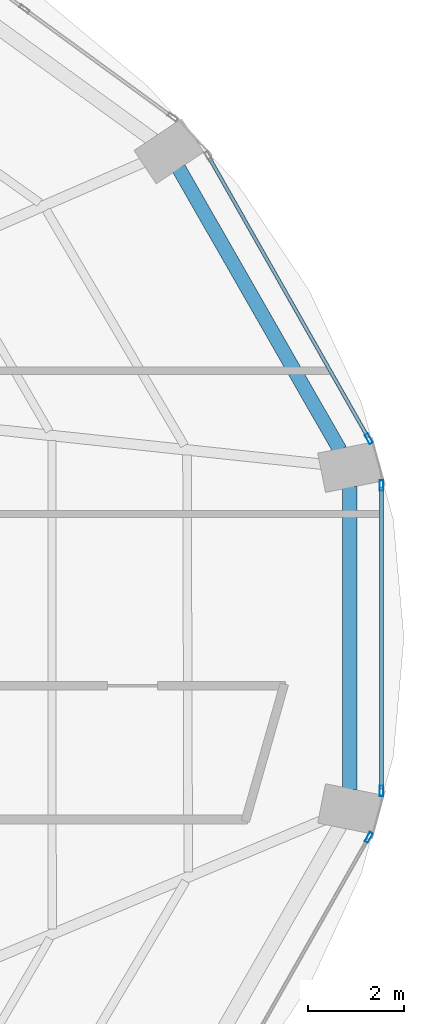
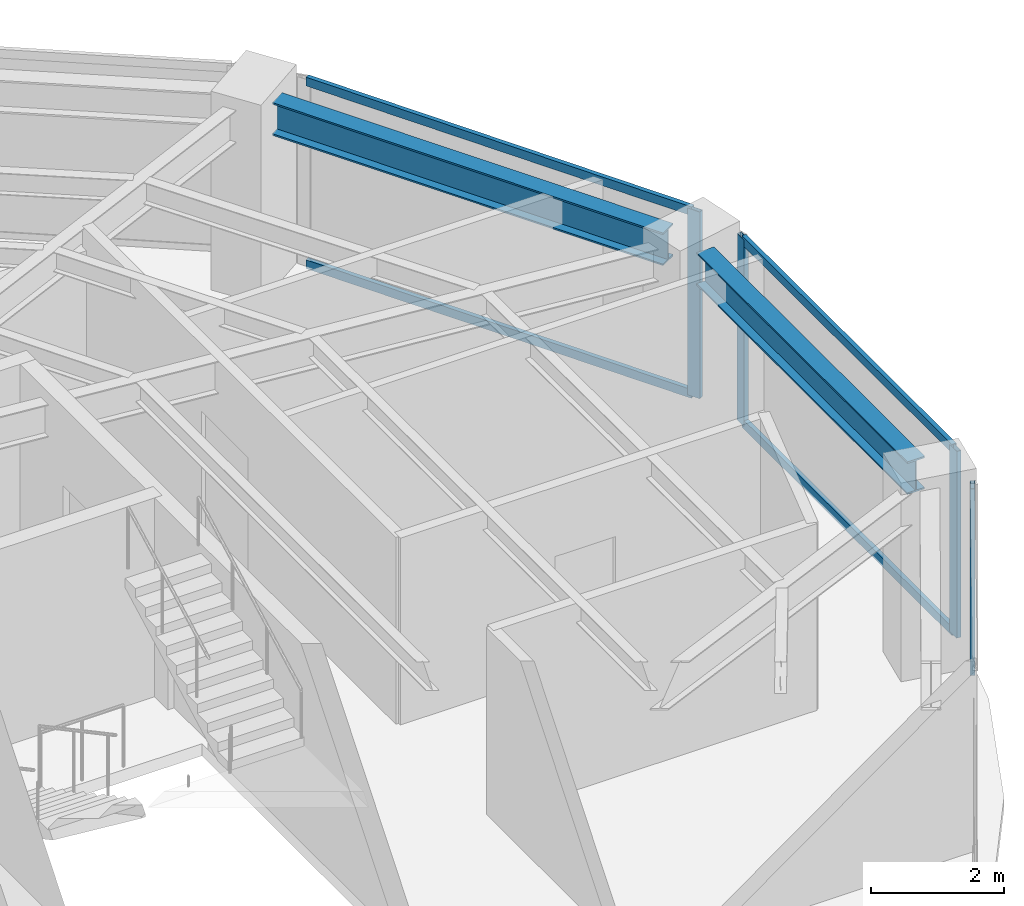
# One storey, part 13 of 23: 8 members, 2 beams, 3 elements without a shape of their own.
"""IFC4 building model written with IfcOpenShell, lengths in metres."""

from ifc_helpers import new_model, si_unit, direction, frame, origin, origin_2d, place, context, subcontext, project, spatial, hollow_rectangle, i_section, extrude, material, layer, layer_set, material_profile, profile_set, type_object, element, aggregate, save


model = new_model("IFC4")

# Units and contexts
model_context = context("Model", 3, precision=1e-05, world=origin(), true_north=direction((0.0, 1.0)))
body_context = subcontext(model_context, "Body", "Model", "MODEL_VIEW")
ifc_project = project(units=[si_unit("LENGTHUNIT", "METRE"), si_unit("AREAUNIT", "SQUARE_METRE"), si_unit("VOLUMEUNIT", "CUBIC_METRE"), si_unit("PLANEANGLEUNIT", "RADIAN"), si_unit("MASSUNIT", "GRAM", prefix="KILO")], contexts=[model_context])

# Site, building, storey
site_placement = place(None, origin())
site = spatial("IfcSite", under=ifc_project, at=site_placement, CompositionType="ELEMENT")
building_placement = place(site_placement, origin())
building = spatial("IfcBuilding", under=site, at=building_placement, Name="Lazwardi Medical Tower", CompositionType="ELEMENT")
storey_placement = place(building_placement, frame((0.0, 0.0, 107.280029296875)))
storey = spatial("IfcBuildingStorey", under=building, at=storey_placement, Name="L27", CompositionType="ELEMENT", Elevation=107.280029296875)

# Beams
ifc_material_1 = material(Name="Steel S355", Category="steel")
ifc_material_profile_1 = material_profile(ifc_material_1, i_section(OverallWidth=0.300048828125, OverallDepth=0.60009765625, WebThickness=0.015380859375, FlangeThickness=0.030029296875, at=origin_2d()), Name="HEB 600")
ifc_profile_set_1 = profile_set([ifc_material_profile_1], Name="Steel S355")
beam_type = type_object("IfcBeamType", Name="BM-RB-Z2", PredefinedType="BEAM", material=ifc_profile_set_1)
beam_1_placement = place(storey_placement, frame((60.86279296875, 27.22998046875, 3.1279296875), z_axis=(0.0, 1.0, 0.0), x_axis=(-1.0, 0.0, 0.0)))
element("IfcBeam", 1, at=beam_1_placement, inside=storey, type_object=beam_type, Name="Ring beam RB-03 B04 L27", PredefinedType="BEAM", context=body_context, shape_type="SweptSolid", body=[
    extrude(i_section(OverallWidth=0.300048828125, OverallDepth=0.60009765625, WebThickness=0.015380859375, FlangeThickness=0.030029296875, at=origin_2d()), origin(), (0.0, 0.0, 1.0), 6.33984375),
])
beam_2_placement = place(storey_placement, frame((60.6591796875, 34.335693359375, 3.1279296875), z_axis=(-0.496637551254, 0.867958030486, 0.0), x_axis=(-0.867958030486, -0.496637551254, 0.0)))
element("IfcBeam", 2, at=beam_2_placement, inside=storey, type_object=beam_type, Name="Ring beam RB-03 B05 L27", PredefinedType="BEAM", context=body_context, shape_type="SweptSolid", body=[
    extrude(i_section(OverallWidth=0.300048828125, OverallDepth=0.60009765625, WebThickness=0.015380859375, FlangeThickness=0.030029296875, at=origin_2d()), origin(), (0.0, 0.0, 1.0), 6.801025390625),
])

# Curtain wall, member
ifc_material_2 = material(Name="Anodised bronze aluminium and solar control glazing", Category="aluminium")
ifc_layer = layer(ifc_material_2, 0.195068359375)
ifc_layer_set = layer_set([ifc_layer], Name="Anodised bronze aluminium and solar control glazing")
curtain_wall_type = type_object("IfcCurtainWallType", Name="CW-SYS-03", PredefinedType="NOTDEFINED", material=ifc_layer_set)
curtain_wall_1_placement = place(storey_placement, origin())
curtain_wall_1 = element("IfcCurtainWall", 3, at=curtain_wall_1_placement, inside=storey, type_object=curtain_wall_type, Name="L27 Unitised bronze curtain wall CW-03", PredefinedType="NOTDEFINED")
ifc_material_3 = material(Name="Anodised bronze aluminium", Category="aluminium")
ifc_material_profile_2 = material_profile(ifc_material_3, hollow_rectangle(XDim=0.074951171875, YDim=0.219970703125, WallThickness=0.00390625, at=origin_2d()), Name="ALU-MULLION 220x75x4")
ifc_profile_set_2 = profile_set([ifc_material_profile_2], Name="Anodised bronze aluminium")
member_type_1 = type_object("IfcMemberType", Name="CW-MUL-01", PredefinedType="MULLION", material=ifc_profile_set_2)
member_1_placement = place(storey_placement, frame((61.2626953125, 26.22607421875, 0.0), z_axis=(0.0, 0.0, 1.0), x_axis=(-0.869687265712, 0.493603140041, 0.0)))
member_1 = element("IfcMember", 4, at=member_1_placement, type_object=member_type_1, Name="CW-03 mullion 2", PredefinedType="MULLION", context=body_context, shape_type="SweptSolid", body=[
    extrude(hollow_rectangle(XDim=0.074951171875, YDim=0.219970703125, WallThickness=0.00390625, at=origin_2d()), origin(), (0.0, 0.0, 1.0), 3.427978515625),
])
aggregate(curtain_wall_1, [member_1])

# Curtain wall, members
curtain_wall_2_placement = place(storey_placement, origin())
curtain_wall_2 = element("IfcCurtainWall", 5, at=curtain_wall_2_placement, inside=storey, type_object=curtain_wall_type, Name="L27 Unitised bronze curtain wall CW-03", PredefinedType="NOTDEFINED")
member_2_placement = place(storey_placement, frame((61.528076171875, 27.20263671875, 0.0), z_axis=(0.0, 0.0, 1.0), x_axis=(-1.0, 0.0, 0.0)))
member_2 = element("IfcMember", 6, at=member_2_placement, type_object=member_type_1, Name="CW-03 mullion 1", PredefinedType="MULLION", context=body_context, shape_type="SweptSolid", body=[
    extrude(hollow_rectangle(XDim=0.074951171875, YDim=0.219970703125, WallThickness=0.00390625, at=origin_2d()), origin(), (0.0, 0.0, 1.0), 3.427978515625),
])
member_3_placement = place(storey_placement, frame((61.528076171875, 33.597412109375, 0.0), z_axis=(0.0, 0.0, 1.0), x_axis=(-1.0, 0.0, 0.0)))
member_3 = element("IfcMember", 7, at=member_3_placement, type_object=member_type_1, Name="CW-03 mullion 2", PredefinedType="MULLION", context=body_context, shape_type="SweptSolid", body=[
    extrude(hollow_rectangle(XDim=0.074951171875, YDim=0.219970703125, WallThickness=0.00390625, at=origin_2d()), origin(), (0.0, 0.0, 1.0), 3.427978515625),
])

# Curtain wall, member
curtain_wall_3_placement = place(storey_placement, origin())
curtain_wall_3 = element("IfcCurtainWall", 8, at=curtain_wall_3_placement, inside=storey, type_object=curtain_wall_type, Name="L27 Unitised bronze curtain wall CW-03", PredefinedType="NOTDEFINED")
member_4_placement = place(storey_placement, frame((61.2626953125, 34.57373046875, 0.0), z_axis=(0.0, 0.0, 1.0), x_axis=(-0.869687265712, -0.493603140041, 0.0)))
member_4 = element("IfcMember", 9, at=member_4_placement, type_object=member_type_1, Name="CW-03 mullion 1", PredefinedType="MULLION", context=body_context, shape_type="SweptSolid", body=[
    extrude(hollow_rectangle(XDim=0.074951171875, YDim=0.219970703125, WallThickness=0.00390625, at=origin_2d()), origin(), (0.0, 0.0, 1.0), 3.427978515625),
])

# Member
ifc_material_profile_3 = material_profile(ifc_material_3, hollow_rectangle(XDim=0.074951171875, YDim=0.159912109375, WallThickness=0.00390625, at=origin_2d()), Name="ALU-TRANSOM 160x75x4")
ifc_profile_set_3 = profile_set([ifc_material_profile_3], Name="Anodised bronze aluminium")
member_type_2 = type_object("IfcMemberType", Name="CW-TRN-01", PredefinedType="USERDEFINED", material=ifc_profile_set_3)
member_5_placement = place(storey_placement, frame((61.528076171875, 27.239990234375, 0.037353515625), z_axis=(0.0, 1.0, 0.0), x_axis=(-1.0, 0.0, 0.0)))
member_5 = element("IfcMember", 10, at=member_5_placement, type_object=member_type_2, Name="CW-03 transom 1.1", ObjectType="TRANSOM", PredefinedType="USERDEFINED", context=body_context, shape_type="SweptSolid", body=[
    extrude(hollow_rectangle(XDim=0.074951171875, YDim=0.159912109375, WallThickness=0.00390625, at=origin_2d()), origin(), (0.0, 0.0, 1.0), 6.31982421875),
])

member_6_placement = place(storey_placement, frame((61.528076171875, 27.239990234375, 3.390380859375), z_axis=(0.0, 1.0, 0.0), x_axis=(-1.0, 0.0, 0.0)))
member_6 = element("IfcMember", 11, at=member_6_placement, type_object=member_type_2, Name="CW-03 transom 1.2", ObjectType="TRANSOM", PredefinedType="USERDEFINED", context=body_context, shape_type="SweptSolid", body=[
    extrude(hollow_rectangle(XDim=0.074951171875, YDim=0.159912109375, WallThickness=0.00390625, at=origin_2d()), origin(), (0.0, 0.0, 1.0), 6.31982421875),
])

aggregate(curtain_wall_2, [member_2, member_3, member_5, member_6])

member_7_placement = place(storey_placement, frame((61.244140625, 34.6064453125, 0.037353515625), z_axis=(-0.493614427365, 0.869680859337, 0.0), x_axis=(-0.869680859337, -0.493614427365, 0.0)))
member_7 = element("IfcMember", 12, at=member_7_placement, type_object=member_type_2, Name="CW-03 transom 1.1", ObjectType="TRANSOM", PredefinedType="USERDEFINED", context=body_context, shape_type="SweptSolid", body=[
    extrude(hollow_rectangle(XDim=0.074951171875, YDim=0.159912109375, WallThickness=0.00390625, at=origin_2d()), origin(), (0.0, 0.0, 1.0), 6.72314453125),
])

member_8_placement = place(storey_placement, frame((61.244140625, 34.6064453125, 3.390380859375), z_axis=(-0.493614427365, 0.869680859337, 0.0), x_axis=(-0.869680859337, -0.493614427365, 0.0)))
member_8 = element("IfcMember", 13, at=member_8_placement, type_object=member_type_2, Name="CW-03 transom 1.2", ObjectType="TRANSOM", PredefinedType="USERDEFINED", context=body_context, shape_type="SweptSolid", body=[
    extrude(hollow_rectangle(XDim=0.074951171875, YDim=0.159912109375, WallThickness=0.00390625, at=origin_2d()), origin(), (0.0, 0.0, 1.0), 6.72314453125),
])

aggregate(curtain_wall_3, [member_4, member_7, member_8])

save(model, "model.ifc")
